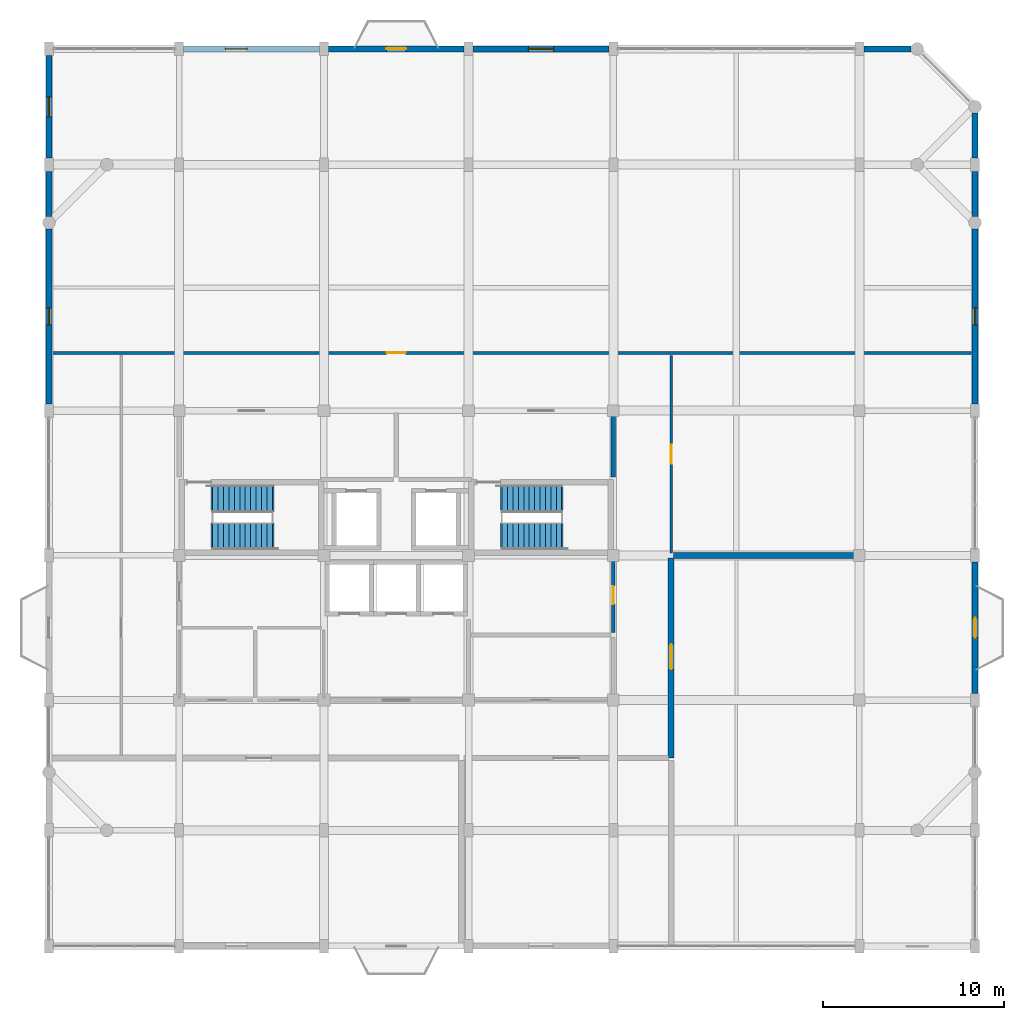
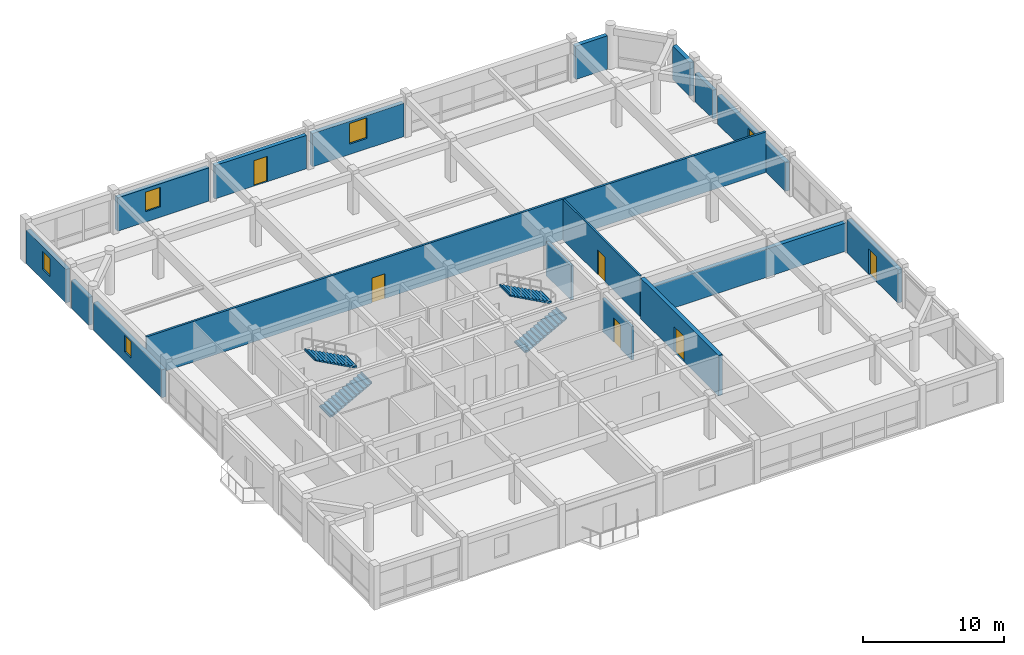
# One storey, part 12 of 13: 17 walls, 6 doors, 5 windows, 4 stair flights, 11 openings, 2 elements without a shape of their own.
"""IFC4 building model written with IfcOpenShell, lengths in metres."""

from ifc_helpers import new_model, si_unit, direction, frame, frame_2d, origin, place, context, subcontext, project, spatial, polyline, rectangle, outline, extrude, material, layer, layer_set, type_object, element, fill, aggregate, save


model = new_model("IFC4")

# Units and contexts
model_context = context("Model", 3, precision=1e-05, world=origin(), true_north=direction((0.0, 1.0)))
body_context = subcontext(model_context, "Body", "Model", "MODEL_VIEW")
ifc_project = project(units=[si_unit("LENGTHUNIT", "METRE"), si_unit("AREAUNIT", "SQUARE_METRE"), si_unit("VOLUMEUNIT", "CUBIC_METRE"), si_unit("PLANEANGLEUNIT", "RADIAN"), si_unit("MASSUNIT", "GRAM", prefix="KILO")], contexts=[model_context])

# Site, building, storey
site_placement = place(None, origin())
site = spatial("IfcSite", under=ifc_project, at=site_placement, CompositionType="ELEMENT")
building_placement = place(site_placement, origin())
building = spatial("IfcBuilding", under=site, at=building_placement, Name="Vellmiral Cinema and Media Centre", CompositionType="ELEMENT")
storey_placement = place(building_placement, frame((0.0, 0.0, 43.300048828125)))
storey = spatial("IfcBuildingStorey", under=building, at=storey_placement, Name="L10", CompositionType="ELEMENT", Elevation=43.300048828125)

# Wall
ifc_material_1 = material(Name="Calcium-Silicate Masonry Blockwork", Category="masonry")
ifc_layer_1 = layer(ifc_material_1, 0.1201171875, Name="Calcium-Silicate Masonry Blockwork", Category="masonry")
ifc_material_2 = material(Name="Mineral Wool Acoustic Insulation", Category="insulation")
ifc_layer_2 = layer(ifc_material_2, 0.090087890625, Name="Mineral Wool Acoustic Insulation", Category="insulation")
ifc_layer_3 = layer(ifc_material_1, 0.1201171875, Name="Calcium-Silicate Masonry Blockwork", Category="masonry")
ifc_layer_set_1 = layer_set([ifc_layer_1, ifc_layer_2, ifc_layer_3], Name="Calcium-Silicate Masonry Blockwork")
wall_type_1 = type_object("IfcWallType", Name="WL-AC-330", PredefinedType="SOLIDWALL", material=ifc_layer_set_1)
wall_1_placement = place(storey_placement, frame((151.340087890625, 87.199951171875, 0.0), z_axis=(0.0, 0.0, 1.0), x_axis=(1.0, 0.0, 0.0)))
element("IfcWall", 1, at=wall_1_placement, inside=storey, type_object=wall_type_1, Name="East Sound Design Booth 1 Wall N", PredefinedType="SOLIDWALL", context=body_context, shape_type="SweptSolid", body=[
    extrude(rectangle(XDim=16.554931640625, YDim=0.330078125, at=frame_2d((8.27734375, 0.0))), origin(), (0.0, 0.0, 1.0), 2.445068359375),
])

# Wall, opening, door
wall_2_placement = place(storey_placement, frame((151.199951171875, 76.0, 0.0), z_axis=(0.0, 0.0, 1.0), x_axis=(0.0, 1.0, 0.0)))
wall_2 = element("IfcWall", 2, at=wall_2_placement, inside=storey, type_object=wall_type_1, Name="East Sound Design Booth 1 Wall W", PredefinedType="SOLIDWALL", context=body_context, shape_type="SweptSolid", body=[
    extrude(rectangle(XDim=11.06005859375, YDim=0.330078125, at=frame_2d((5.530029296875, 0.0))), origin(), (0.0, 0.0, 1.0), 3.52001953125),
])
opening_1_placement = place(wall_2_placement, frame((4.89990234375, 0.0, 0.0)))
opening_1 = element("IfcOpeningElement", 3, at=opening_1_placement, cuts=wall_2, Name="Opening D-AC4", PredefinedType="OPENING", context=body_context, shape_type="SweptSolid", body=[
    extrude(rectangle(XDim=1.39990234375, YDim=2.199951171875, at=frame_2d((0.699951171875, 1.10009765625))), frame((0.0, 0.177001953125, 0.0), z_axis=(0.0, -1.0, 0.0), x_axis=(1.0, 0.0, 0.0)), (0.0, 0.0, 1.0), 0.35400390625),
])
ifc_material_3 = material(Name="Acoustic Studio Door", Category="steel")
door_type_1 = type_object("IfcDoorType", Name="DR-AC-1400x2200", OperationType="NOTDEFINED", PredefinedType="DOOR", material=ifc_material_3)
door_1_placement = place(opening_1_placement, origin())
door_1 = element("IfcDoor", 4, at=door_1_placement, inside=storey, type_object=door_type_1, Name="East Sound Design Booth 1 Door", OperationType="SINGLE_SWING_RIGHT", OverallHeight=2.199951171875, OverallWidth=1.39990234375, PredefinedType="DOOR", context=body_context, shape_type="SweptSolid", body=[
    extrude(rectangle(XDim=1.39990234375, YDim=2.199951171875, at=frame_2d((0.699951171875, 1.10009765625))), frame((0.0, 0.02490234375, 0.0), z_axis=(0.0, -1.0, 0.0), x_axis=(1.0, 0.0, 0.0)), (0.0, 0.0, 1.0), 0.050048828125),
])
fill(opening_1, door_1)

ifc_material_4 = material(Name="Concrete C40/50", Category="concrete")
ifc_layer_4 = layer(ifc_material_4, 0.2099609375, Name="Concrete C40/50")
ifc_layer_set_2 = layer_set([ifc_layer_4], Name="Concrete C40/50")
wall_type_2 = type_object("IfcWallType", Name="WL-COMP-210", PredefinedType="SOLIDWALL", material=ifc_layer_set_2)
wall_3_placement = place(storey_placement, frame((148.0, 82.93994140625, 0.0), z_axis=(0.0, 0.0, 1.0), x_axis=(0.0, 1.0, 0.0)))
wall_3 = element("IfcWall", 5, at=wall_3_placement, inside=storey, type_object=wall_type_2, Name="Data Patch and Riser Room Wall E", PredefinedType="SOLIDWALL", context=body_context, shape_type="SweptSolid", body=[
    extrude(rectangle(XDim=4.1201171875, YDim=0.2099609375, at=frame_2d((2.06005859375, 0.0))), origin(), (0.0, 0.0, 1.0), 2.89501953125),
])
opening_2_placement = place(wall_3_placement, frame((1.56005859375, 0.0, 0.0)))
opening_2 = element("IfcOpeningElement", 6, at=opening_2_placement, cuts=wall_3, Name="Opening D-FD30B", PredefinedType="OPENING", context=body_context, shape_type="SweptSolid", body=[
    extrude(rectangle(XDim=1.0, YDim=2.14990234375, at=frame_2d((0.5, 1.074951171875))), frame((0.0, 0.116943359375, 0.0), z_axis=(0.0, -1.0, 0.0), x_axis=(1.0, 0.0, 0.0)), (0.0, 0.0, 1.0), 0.23388671875),
])
ifc_material_5 = material(Name="Steel Riser Fire Door", Category="steel")
door_type_2 = type_object("IfcDoorType", Name="DR-FD30-1000x2150", OperationType="NOTDEFINED", PredefinedType="DOOR", material=ifc_material_5)
door_2_placement = place(opening_2_placement, origin())
door_2 = element("IfcDoor", 7, at=door_2_placement, inside=storey, type_object=door_type_2, Name="Data Patch and Riser Room Door", OperationType="SINGLE_SWING_LEFT", OverallHeight=2.14990234375, OverallWidth=1.0, PredefinedType="DOOR", context=body_context, shape_type="SweptSolid", body=[
    extrude(rectangle(XDim=1.0, YDim=2.14990234375, at=frame_2d((0.5, 1.074951171875))), frame((0.0, 0.02490234375, 0.0), z_axis=(0.0, -1.0, 0.0), x_axis=(1.0, 0.0, 0.0)), (0.0, 0.0, 1.0), 0.050048828125),
])
fill(opening_2, door_2)

# Wall
ifc_material_6 = material(Name="Polychrome Glazed Ceramic Cladding", Category="masonry")
ifc_layer_5 = layer(ifc_material_6, 0.320068359375, Name="Polychrome Glazed Ceramic Cladding")
ifc_layer_set_3 = layer_set([ifc_layer_5], Name="Polychrome Glazed Ceramic Cladding")
wall_type_3 = type_object("IfcWallType", Name="WL-EXT-BRICK-320", PredefinedType="SOLIDWALL", material=ifc_layer_set_3)
wall_4_placement = place(storey_placement, frame((168.0, 105.949951171875, 0.0), z_axis=(0.0, 0.0, 1.0), x_axis=(0.0, 1.0, 0.0)))
element("IfcWall", 8, at=wall_4_placement, inside=storey, type_object=wall_type_3, Name="Exterior Facade Wall L10-013", PredefinedType="SOLIDWALL", context=body_context, shape_type="SweptSolid", body=[
    extrude(rectangle(XDim=2.47509765625, YDim=0.320068359375, at=frame_2d((1.237548828125, 0.0))), origin(), (0.0, 0.0, 1.0), 2.48486328125),
])

# Wall, opening, door
wall_5_placement = place(storey_placement, frame((139.75, 115.199951171875, 0.0), z_axis=(0.0, 0.0, 1.0), x_axis=(-1.0, 0.0, 0.0)))
wall_5 = element("IfcWall", 9, at=wall_5_placement, inside=storey, type_object=wall_type_3, Name="Exterior Facade Wall L10-019", PredefinedType="SOLIDWALL", context=body_context, shape_type="SweptSolid", body=[
    extrude(rectangle(XDim=7.5, YDim=0.320068359375, at=frame_2d((3.75, 0.0))), origin(), (0.0, 0.0, 1.0), 2.89990234375),
])
opening_3_placement = place(wall_5_placement, frame((3.199951171875, 0.0, 0.0)))
opening_3 = element("IfcOpeningElement", 10, at=opening_3_placement, cuts=wall_5, Name="Opening DE-06", PredefinedType="OPENING", context=body_context, shape_type="SweptSolid", body=[
    extrude(rectangle(XDim=1.10009765625, YDim=2.199951171875, at=frame_2d((0.550048828125, 1.10009765625))), frame((0.0, 0.171875, 0.0), z_axis=(0.0, -1.0, 0.0), x_axis=(1.0, 0.0, 0.0)), (0.0, 0.0, 1.0), 0.343994140625),
])
ifc_material_7 = material(Name="Thermally Broken Glazed Aluminium and Bronze Door", Category="aluminium")
door_type_3 = type_object("IfcDoorType", Name="DR-MIRA-1100x2200", OperationType="NOTDEFINED", PredefinedType="DOOR", material=ifc_material_7)
door_3_placement = place(opening_3_placement, frame((1.10009765625, 0.0, 0.0), z_axis=(0.0, 0.0, 1.0), x_axis=(-1.0, 0.0, 0.0)))
door_3 = element("IfcDoor", 11, at=door_3_placement, inside=storey, type_object=door_type_3, Name="Mirador Balcony Door L10-N", OperationType="SINGLE_SWING_RIGHT", OverallHeight=2.199951171875, OverallWidth=1.10009765625, PredefinedType="DOOR", context=body_context, shape_type="SweptSolid", body=[
    extrude(rectangle(XDim=1.10009765625, YDim=2.199951171875, at=frame_2d((0.550048828125, 1.10009765625))), frame((0.0, 0.02490234375, 0.0), z_axis=(0.0, -1.0, 0.0), x_axis=(1.0, 0.0, 0.0)), (0.0, 0.0, 1.0), 0.050048828125),
])
fill(opening_3, door_3)

# Wall
wall_6_placement = place(storey_placement, frame((116.800048828125, 108.425048828125, 0.0), z_axis=(0.0, 0.0, 1.0), x_axis=(0.0, -1.0, 0.0)))
element("IfcWall", 12, at=wall_6_placement, inside=storey, type_object=wall_type_3, Name="Exterior Facade Wall L10-023", PredefinedType="SOLIDWALL", context=body_context, shape_type="SweptSolid", body=[
    extrude(rectangle(XDim=2.47509765625, YDim=0.320068359375, at=frame_2d((1.237548828125, 0.0))), origin(), (0.0, 0.0, 1.0), 2.43505859375),
])

# Wall, opening, door
ifc_material_8 = material(Name="Vosges Red Sandstone Masonry", Category="masonry")
ifc_layer_6 = layer(ifc_material_8, 0.340087890625, Name="Vosges Red Sandstone Masonry")
ifc_layer_set_4 = layer_set([ifc_layer_6], Name="Vosges Red Sandstone Masonry")
wall_type_4 = type_object("IfcWallType", Name="WL-EXT-SAND-340", PredefinedType="SOLIDWALL", material=ifc_layer_set_4)
wall_7_placement = place(storey_placement, frame((168.0, 79.574951171875, 0.0), z_axis=(0.0, 0.0, 1.0), x_axis=(0.0, 1.0, 0.0)))
wall_7 = element("IfcWall", 13, at=wall_7_placement, inside=storey, type_object=wall_type_4, Name="Exterior Facade Wall L10-010", PredefinedType="SOLIDWALL", context=body_context, shape_type="SweptSolid", body=[
    extrude(rectangle(XDim=7.25, YDim=0.340087890625, at=frame_2d((3.625, 0.0))), origin(), (0.0, 0.0, 1.0), 2.885009765625),
])
opening_4_placement = place(wall_7_placement, frame((3.074951171875, 0.0, 0.0)))
opening_4 = element("IfcOpeningElement", 14, at=opening_4_placement, cuts=wall_7, Name="Opening DE-06", PredefinedType="OPENING", context=body_context, shape_type="SweptSolid", body=[
    extrude(rectangle(XDim=1.10009765625, YDim=2.199951171875, at=frame_2d((0.550048828125, 1.10009765625))), frame((0.0, 0.18212890625, 0.0), z_axis=(0.0, -1.0, 0.0), x_axis=(1.0, 0.0, 0.0)), (0.0, 0.0, 1.0), 0.364013671875),
])
door_4_placement = place(opening_4_placement, frame((1.10009765625, 0.0, 0.0), z_axis=(0.0, 0.0, 1.0), x_axis=(-1.0, 0.0, 0.0)))
door_4 = element("IfcDoor", 15, at=door_4_placement, inside=storey, type_object=door_type_3, Name="Mirador Balcony Door L10-E", OperationType="SINGLE_SWING_LEFT", OverallHeight=2.199951171875, OverallWidth=1.10009765625, PredefinedType="DOOR", context=body_context, shape_type="SweptSolid", body=[
    extrude(rectangle(XDim=1.10009765625, YDim=2.199951171875, at=frame_2d((0.550048828125, 1.10009765625))), frame((0.0, 0.02490234375, 0.0), z_axis=(0.0, -1.0, 0.0), x_axis=(1.0, 0.0, 0.0)), (0.0, 0.0, 1.0), 0.050048828125),
])
fill(opening_4, door_4)

# Wall, opening, window
wall_8_placement = place(storey_placement, frame((168.0, 95.574951171875, 0.0), z_axis=(0.0, 0.0, 1.0), x_axis=(0.0, 1.0, 0.0)))
wall_8 = element("IfcWall", 16, at=wall_8_placement, inside=storey, type_object=wall_type_4, Name="Exterior Facade Wall L10-012", PredefinedType="SOLIDWALL", context=body_context, shape_type="SweptSolid", body=[
    extrude(rectangle(XDim=9.675048828125, YDim=0.340087890625, at=frame_2d((4.83740234375, 0.0))), origin(), (0.0, 0.0, 1.0), 2.48486328125),
])
opening_5_placement = place(wall_8_placement, frame((4.362548828125, 0.0, 0.800048828125)))
opening_5 = element("IfcOpeningElement", 17, at=opening_5_placement, cuts=wall_8, Name="Opening WN-12", PredefinedType="OPENING", context=body_context, shape_type="SweptSolid", body=[
    extrude(rectangle(XDim=0.949951171875, YDim=1.449951171875, at=frame_2d((0.47509765625, 0.72509765625))), frame((0.0, 0.18212890625, 0.0), z_axis=(0.0, -1.0, 0.0), x_axis=(1.0, 0.0, 0.0)), (0.0, 0.0, 1.0), 0.364013671875),
])
ifc_material_9 = material(Name="Thermally Broken Aluminium Triple Glazing", Category="aluminium")
window_type_1 = type_object("IfcWindowType", Name="WN-0950x1450", PartitioningType="SINGLE_PANEL", PredefinedType="WINDOW", material=ifc_material_9)
window_1_placement = place(opening_5_placement, origin())
window_1 = element("IfcWindow", 18, at=window_1_placement, inside=storey, type_object=window_type_1, Name="Window L10-012", OverallHeight=1.449951171875, OverallWidth=0.949951171875, PartitioningType="SINGLE_PANEL", PredefinedType="WINDOW", context=body_context, shape_type="SweptSolid", body=[
    extrude(rectangle(XDim=0.949951171875, YDim=1.449951171875, at=frame_2d((0.47509765625, 0.72509765625))), frame((0.0, 0.030029296875, 0.0), z_axis=(0.0, -1.0, 0.0), x_axis=(1.0, 0.0, 0.0)), (0.0, 0.0, 1.0), 0.06005859375),
])
fill(opening_5, window_1)

# Walls
wall_9_placement = place(storey_placement, frame((168.0, 109.175048828125, 0.0), z_axis=(0.0, 0.0, 1.0), x_axis=(0.0, 1.0, 0.0)))
element("IfcWall", 19, at=wall_9_placement, inside=storey, type_object=wall_type_4, Name="Exterior Facade Wall L10-014", PredefinedType="SOLIDWALL", context=body_context, shape_type="SweptSolid", body=[
    extrude(rectangle(XDim=2.474853515625, YDim=0.340087890625, at=frame_2d((1.2373046875, 0.0))), origin(), (0.0, 0.0, 1.0), 2.89990234375),
])
wall_10_placement = place(storey_placement, frame((164.449951171875, 115.199951171875, 0.0), z_axis=(0.0, 0.0, 1.0), x_axis=(-1.0, 0.0, 0.0)))
element("IfcWall", 20, at=wall_10_placement, inside=storey, type_object=wall_type_4, Name="Exterior Facade Wall L10-016", PredefinedType="SOLIDWALL", context=body_context, shape_type="SweptSolid", body=[
    extrude(rectangle(XDim=2.599853515625, YDim=0.340087890625, at=frame_2d((1.2998046875, 0.0))), origin(), (0.0, 0.0, 1.0), 2.89990234375),
])

# Wall, opening, window
wall_11_placement = place(storey_placement, frame((147.75, 115.199951171875, 0.0), z_axis=(0.0, 0.0, 1.0), x_axis=(-1.0, 0.0, 0.0)))
wall_11 = element("IfcWall", 21, at=wall_11_placement, inside=storey, type_object=wall_type_4, Name="Exterior Facade Wall L10-018", PredefinedType="SOLIDWALL", context=body_context, shape_type="SweptSolid", body=[
    extrude(rectangle(XDim=7.5, YDim=0.340087890625, at=frame_2d((3.75, 0.0))), origin(), (0.0, 0.0, 1.0), 2.885009765625),
])
opening_6_placement = place(wall_11_placement, frame((3.050048828125, 0.0, 0.89990234375)))
opening_6 = element("IfcOpeningElement", 22, at=opening_6_placement, cuts=wall_11, Name="Opening WN-07", PredefinedType="OPENING", context=body_context, shape_type="SweptSolid", body=[
    extrude(rectangle(XDim=1.39990234375, YDim=1.800048828125, at=frame_2d((0.699951171875, 0.89990234375))), frame((0.0, 0.18212890625, 0.0), z_axis=(0.0, -1.0, 0.0), x_axis=(1.0, 0.0, 0.0)), (0.0, 0.0, 1.0), 0.364013671875),
])
ifc_material_10 = material(Name="Thermally Broken Aluminium Triple Glazing", Category="aluminium")
window_type_2 = type_object("IfcWindowType", Name="WN-1400x1800", PartitioningType="SINGLE_PANEL", PredefinedType="WINDOW", material=ifc_material_10)
window_2_placement = place(opening_6_placement, origin())
window_2 = element("IfcWindow", 23, at=window_2_placement, inside=storey, type_object=window_type_2, Name="Window L10-018", OverallHeight=1.800048828125, OverallWidth=1.39990234375, PartitioningType="SINGLE_PANEL", PredefinedType="WINDOW", context=body_context, shape_type="SweptSolid", body=[
    extrude(rectangle(XDim=1.39990234375, YDim=1.800048828125, at=frame_2d((0.699951171875, 0.89990234375))), frame((0.0, 0.030029296875, 0.0), z_axis=(0.0, -1.0, 0.0), x_axis=(1.0, 0.0, 0.0)), (0.0, 0.0, 1.0), 0.06005859375),
])
fill(opening_6, window_2)

wall_12_placement = place(storey_placement, frame((131.75, 115.199951171875, 0.0), z_axis=(0.0, 0.0, 1.0), x_axis=(-1.0, 0.0, 0.0)))
wall_12 = element("IfcWall", 24, at=wall_12_placement, inside=storey, type_object=wall_type_4, Name="Exterior Facade Wall L10-020", PredefinedType="SOLIDWALL", context=body_context, shape_type="SweptSolid", body=[
    extrude(rectangle(XDim=7.5, YDim=0.340087890625, at=frame_2d((3.75, 0.0))), origin(), (0.0, 0.0, 1.0), 2.89990234375),
])
opening_7_placement = place(wall_12_placement, frame((4.0, 0.0, 0.89990234375)))
opening_7 = element("IfcOpeningElement", 25, at=opening_7_placement, cuts=wall_12, Name="Opening WN-10", PredefinedType="OPENING", context=body_context, shape_type="SweptSolid", body=[
    extrude(rectangle(XDim=1.199951171875, YDim=1.699951171875, at=frame_2d((0.60009765625, 0.85009765625))), frame((0.0, 0.18212890625, 0.0), z_axis=(0.0, -1.0, 0.0), x_axis=(1.0, 0.0, 0.0)), (0.0, 0.0, 1.0), 0.364013671875),
])
ifc_material_11 = material(Name="Thermally Broken Aluminium Triple Glazing", Category="aluminium")
window_type_3 = type_object("IfcWindowType", Name="WN-1200x1700", PartitioningType="SINGLE_PANEL", PredefinedType="WINDOW", material=ifc_material_11)
window_3_placement = place(opening_7_placement, origin())
window_3 = element("IfcWindow", 26, at=window_3_placement, inside=storey, type_object=window_type_3, Name="Window L10-020", OverallHeight=1.699951171875, OverallWidth=1.199951171875, PartitioningType="SINGLE_PANEL", PredefinedType="WINDOW", context=body_context, shape_type="SweptSolid", body=[
    extrude(rectangle(XDim=1.199951171875, YDim=1.699951171875, at=frame_2d((0.60009765625, 0.85009765625))), frame((0.0, 0.030029296875, 0.0), z_axis=(0.0, -1.0, 0.0), x_axis=(1.0, 0.0, 0.0)), (0.0, 0.0, 1.0), 0.06005859375),
])
fill(opening_7, window_3)

wall_13_placement = place(storey_placement, frame((116.800048828125, 114.824951171875, 0.0), z_axis=(0.0, 0.0, 1.0), x_axis=(0.0, -1.0, 0.0)))
wall_13 = element("IfcWall", 27, at=wall_13_placement, inside=storey, type_object=wall_type_4, Name="Exterior Facade Wall L10-022", PredefinedType="SOLIDWALL", context=body_context, shape_type="SweptSolid", body=[
    extrude(rectangle(XDim=5.64990234375, YDim=0.340087890625, at=frame_2d((2.824951171875, 0.0))), origin(), (0.0, 0.0, 1.0), 2.89990234375),
])
opening_8_placement = place(wall_13_placement, frame((2.27490234375, 0.0, 0.89990234375)))
opening_8 = element("IfcOpeningElement", 28, at=opening_8_placement, cuts=wall_13, Name="Opening WN-11", PredefinedType="OPENING", context=body_context, shape_type="SweptSolid", body=[
    extrude(rectangle(XDim=1.10009765625, YDim=1.550048828125, at=frame_2d((0.550048828125, 0.77490234375))), frame((0.0, 0.18212890625, 0.0), z_axis=(0.0, -1.0, 0.0), x_axis=(1.0, 0.0, 0.0)), (0.0, 0.0, 1.0), 0.364013671875),
])
ifc_material_12 = material(Name="Thermally Broken Aluminium Triple Glazing", Category="aluminium")
window_type_4 = type_object("IfcWindowType", Name="WN-1100x1550", PartitioningType="SINGLE_PANEL", PredefinedType="WINDOW", material=ifc_material_12)
window_4_placement = place(opening_8_placement, origin())
window_4 = element("IfcWindow", 29, at=window_4_placement, inside=storey, type_object=window_type_4, Name="Window L10-022", OverallHeight=1.550048828125, OverallWidth=1.10009765625, PartitioningType="SINGLE_PANEL", PredefinedType="WINDOW", context=body_context, shape_type="SweptSolid", body=[
    extrude(rectangle(XDim=1.10009765625, YDim=1.550048828125, at=frame_2d((0.550048828125, 0.77490234375))), frame((0.0, 0.030029296875, 0.0), z_axis=(0.0, -1.0, 0.0), x_axis=(1.0, 0.0, 0.0)), (0.0, 0.0, 1.0), 0.06005859375),
])
fill(opening_8, window_4)

wall_14_placement = place(storey_placement, frame((116.800048828125, 105.25, 0.0), z_axis=(0.0, 0.0, 1.0), x_axis=(0.0, -1.0, 0.0)))
wall_14 = element("IfcWall", 30, at=wall_14_placement, inside=storey, type_object=wall_type_4, Name="Exterior Facade Wall L10-024", PredefinedType="SOLIDWALL", context=body_context, shape_type="SweptSolid", body=[
    extrude(rectangle(XDim=9.675048828125, YDim=0.340087890625, at=frame_2d((4.83740234375, 0.0))), origin(), (0.0, 0.0, 1.0), 2.43505859375),
])
opening_9_placement = place(wall_14_placement, frame((4.362548828125, 0.0, 0.800048828125)))
opening_9 = element("IfcOpeningElement", 31, at=opening_9_placement, cuts=wall_14, Name="Opening WN-12", PredefinedType="OPENING", context=body_context, shape_type="SweptSolid", body=[
    extrude(rectangle(XDim=0.949951171875, YDim=1.449951171875, at=frame_2d((0.47509765625, 0.72509765625))), frame((0.0, 0.18212890625, 0.0), z_axis=(0.0, -1.0, 0.0), x_axis=(1.0, 0.0, 0.0)), (0.0, 0.0, 1.0), 0.364013671875),
])
window_5_placement = place(opening_9_placement, origin())
window_5 = element("IfcWindow", 32, at=window_5_placement, inside=storey, type_object=window_type_1, Name="Window L10-024", OverallHeight=1.449951171875, OverallWidth=0.949951171875, PartitioningType="SINGLE_PANEL", PredefinedType="WINDOW", context=body_context, shape_type="SweptSolid", body=[
    extrude(rectangle(XDim=0.949951171875, YDim=1.449951171875, at=frame_2d((0.47509765625, 0.72509765625))), frame((0.0, 0.030029296875, 0.0), z_axis=(0.0, -1.0, 0.0), x_axis=(1.0, 0.0, 0.0)), (0.0, 0.0, 1.0), 0.06005859375),
])
fill(opening_9, window_5)

# Wall
ifc_material_13 = material(Name="Concrete C40/50", Category="concrete")
ifc_layer_7 = layer(ifc_material_13, 0.22998046875, Name="Concrete C40/50")
ifc_layer_set_5 = layer_set([ifc_layer_7], Name="Concrete C40/50")
wall_type_5 = type_object("IfcWallType", Name="WL-FFL-230", PredefinedType="SOLIDWALL", material=ifc_layer_set_5)
wall_15_placement = place(storey_placement, frame((148.0, 91.5400390625, 0.0), z_axis=(0.0, 0.0, 1.0), x_axis=(0.0, 1.0, 0.0)))
element("IfcWall", 33, at=wall_15_placement, inside=storey, type_object=wall_type_5, Name="Firefighting Lobby East Wall E", PredefinedType="SOLIDWALL", context=body_context, shape_type="SweptSolid", body=[
    extrude(rectangle(XDim=3.52001953125, YDim=0.22998046875, at=frame_2d((1.760009765625, 0.0))), origin(), (0.0, 0.0, 1.0), 2.945068359375),
])

# Wall, opening, door
ifc_material_14 = material(Name="Gypsum Plasterboard")
ifc_layer_8 = layer(ifc_material_14, 0.02490234375, Name="Gypsum Plasterboard", Category="gypsum")
ifc_material_15 = material(Name="Mineral Wool Acoustic Insulation", Category="insulation")
ifc_layer_9 = layer(ifc_material_15, 0.10009765625, Name="Mineral Wool Acoustic Insulation", Category="insulation")
ifc_layer_10 = layer(ifc_material_14, 0.02490234375, Name="Gypsum Plasterboard", Category="gypsum")
ifc_layer_set_6 = layer_set([ifc_layer_8, ifc_layer_9, ifc_layer_10], Name="Gypsum Plasterboard")
wall_type_6 = type_object("IfcWallType", Name="WL-PART-150", PredefinedType="PARTITIONING", material=ifc_layer_set_6)
wall_16_placement = place(storey_placement, frame((151.199951171875, 87.340087890625, 0.0), z_axis=(0.0, 0.0, 1.0), x_axis=(0.0, 1.0, 0.0)))
wall_16 = element("IfcWall", 34, at=wall_16_placement, inside=storey, type_object=wall_type_6, Name="East Sound Conference Room Wall W", PredefinedType="PARTITIONING", context=body_context, shape_type="SweptSolid", body=[
    extrude(rectangle(XDim=10.919921875, YDim=0.14990234375, at=frame_2d((5.4599609375, 0.0))), origin(), (0.0, 0.0, 1.0), 3.52001953125),
])
opening_10_placement = place(wall_16_placement, frame((4.93505859375, 0.0, 0.0)))
opening_10 = element("IfcOpeningElement", 35, at=opening_10_placement, cuts=wall_16, Name="Opening D-I07", PredefinedType="OPENING", context=body_context, shape_type="SweptSolid", body=[
    extrude(rectangle(XDim=1.050048828125, YDim=2.14990234375, at=frame_2d((0.52490234375, 1.074951171875))), frame((0.0, 0.0869140625, 0.0), z_axis=(0.0, -1.0, 0.0), x_axis=(1.0, 0.0, 0.0)), (0.0, 0.0, 1.0), 0.173828125),
])
ifc_material_16 = material(Name="Laminated Timber Door", Category="wood")
door_type_4 = type_object("IfcDoorType", Name="DR-INT-1050x2150", OperationType="NOTDEFINED", PredefinedType="DOOR", material=ifc_material_16)
door_5_placement = place(opening_10_placement, frame((1.050048828125, 0.0, 0.0), z_axis=(0.0, 0.0, 1.0), x_axis=(-1.0, 0.0, 0.0)))
door_5 = element("IfcDoor", 36, at=door_5_placement, inside=storey, type_object=door_type_4, Name="East Sound Conference Room Door", OperationType="SINGLE_SWING_LEFT", OverallHeight=2.14990234375, OverallWidth=1.050048828125, PredefinedType="DOOR", context=body_context, shape_type="SweptSolid", body=[
    extrude(rectangle(XDim=1.050048828125, YDim=2.14990234375, at=frame_2d((0.52490234375, 1.074951171875))), frame((0.0, 0.02490234375, 0.0), z_axis=(0.0, -1.0, 0.0), x_axis=(1.0, 0.0, 0.0)), (0.0, 0.0, 1.0), 0.050048828125),
])
fill(opening_10, door_5)

ifc_material_17 = material(Name="Gypsum Plasterboard")
ifc_layer_11 = layer(ifc_material_17, 0.02490234375, Name="Gypsum Plasterboard", Category="gypsum")
ifc_material_18 = material(Name="Mineral Wool Acoustic Insulation", Category="insulation")
ifc_layer_12 = layer(ifc_material_18, 0.1201171875, Name="Mineral Wool Acoustic Insulation", Category="insulation")
ifc_layer_13 = layer(ifc_material_17, 0.02490234375, Name="Gypsum Plasterboard", Category="gypsum")
ifc_layer_set_7 = layer_set([ifc_layer_11, ifc_layer_12, ifc_layer_13], Name="Gypsum Plasterboard")
wall_type_7 = type_object("IfcWallType", Name="WL-PART-170", PredefinedType="PARTITIONING", material=ifc_layer_set_7)
wall_17_placement = place(storey_placement, frame((116.985107421875, 98.39990234375, 0.0), z_axis=(0.0, 0.0, 1.0), x_axis=(1.0, 0.0, 0.0)))
wall_17 = element("IfcWall", 37, at=wall_17_placement, inside=storey, type_object=wall_type_7, Name="North Open Podcast Editorial Floor Wall S", PredefinedType="PARTITIONING", context=body_context, shape_type="SweptSolid", body=[
    extrude(rectangle(XDim=50.829833984375, YDim=0.169921875, at=frame_2d((25.4150390625, 0.0))), origin(), (0.0, 0.0, 1.0), 3.52001953125),
])
opening_11_placement = place(wall_17_placement, frame((18.489990234375, 0.0, 0.0)))
opening_11 = element("IfcOpeningElement", 38, at=opening_11_placement, cuts=wall_17, Name="Opening D-I07", PredefinedType="OPENING", context=body_context, shape_type="SweptSolid", body=[
    extrude(rectangle(XDim=1.050048828125, YDim=2.14990234375, at=frame_2d((0.52490234375, 1.074951171875))), frame((0.0, 0.096923828125, 0.0), z_axis=(0.0, -1.0, 0.0), x_axis=(1.0, 0.0, 0.0)), (0.0, 0.0, 1.0), 0.19384765625),
])
door_6_placement = place(opening_11_placement, origin())
door_6 = element("IfcDoor", 39, at=door_6_placement, inside=storey, type_object=door_type_4, Name="North Open Podcast Editorial Floor Door", OperationType="SINGLE_SWING_LEFT", OverallHeight=2.14990234375, OverallWidth=1.050048828125, PredefinedType="DOOR", context=body_context, shape_type="SweptSolid", body=[
    extrude(rectangle(XDim=1.050048828125, YDim=2.14990234375, at=frame_2d((0.52490234375, 1.074951171875))), frame((0.0, 0.02490234375, 0.0), z_axis=(0.0, -1.0, 0.0), x_axis=(1.0, 0.0, 0.0)), (0.0, 0.0, 1.0), 0.050048828125),
])
fill(opening_11, door_6)

# Stair, stair flights
ifc_material_19 = material(Name="Concrete C40/50", Category="concrete")
stair_type = type_object("IfcStairType", Name="ST-2RET-380", PredefinedType="HALF_TURN_STAIR", material=ifc_material_19)
stair_1_placement = place(storey_placement, origin())
stair_1 = element("IfcStair", 40, at=stair_1_placement, inside=storey, type_object=stair_type, Name="Protected Escape Stair ST-T1 (L10)", PredefinedType="HALF_TURN_STAIR")
ifc_material_20 = material(Name="Concrete C40/50", Category="concrete")
stair_flight_type = type_object("IfcStairFlightType", Name="STF-STR-380", PredefinedType="STRAIGHT", material=ifc_material_20)
stair_flight_1_placement = place(storey_placement, frame((125.85009765625, 88.25, 0.0), z_axis=(0.0, 0.0, 1.0), x_axis=(1.0, 0.0, 0.0)))
stair_flight_1 = element("IfcStairFlight", 41, at=stair_flight_1_placement, type_object=stair_flight_type, Name="ST-T1 flight 1", NumberOfRisers=12, NumberOfTreads=11, PredefinedType="STRAIGHT", RiserHeight=0.158333333, TreadLength=0.3, context=body_context, shape_type="SweptSolid", body=[
    extrude(outline(polyline([(-0.080078125, 0.0), (-0.080078125, 0.094970703125), (0.0, 0.158447265625), (0.300048828125, 0.158447265625), (0.300048828125, 0.316650390625), (0.60009765625, 0.316650390625), (0.60009765625, 0.47509765625), (0.89990234375, 0.47509765625), (0.89990234375, 0.63330078125), (1.199951171875, 0.63330078125), (1.199951171875, 0.791748046875), (1.5, 0.791748046875), (1.5, 0.949951171875), (1.800048828125, 0.949951171875), (1.800048828125, 1.1083984375), (2.10009765625, 1.1083984375), (2.10009765625, 1.2666015625), (2.39990234375, 1.2666015625), (2.39990234375, 1.425048828125), (2.699951171875, 1.425048828125), (2.699951171875, 1.583251953125), (3.0, 1.583251953125), (3.0, 1.74169921875), (3.300048828125, 1.74169921875), (3.300048828125, 1.89990234375), (3.380126953125, 1.89990234375), (3.380126953125, 1.739990234375), (0.179931640625, 0.0), (-0.080078125, 0.0)])), frame((0.0, 0.75, 0.0), z_axis=(0.0, -1.0, 0.0), x_axis=(1.0, 0.0, 0.0)), (0.0, 0.0, 1.0), 1.5),
])
stair_flight_2_placement = place(storey_placement, frame((129.14990234375, 90.35009765625, 1.89990234375), z_axis=(0.0, 0.0, 1.0), x_axis=(-1.0, 0.0, 0.0)))
stair_flight_2 = element("IfcStairFlight", 42, at=stair_flight_2_placement, type_object=stair_flight_type, Name="ST-T1 flight 2", NumberOfRisers=12, NumberOfTreads=11, PredefinedType="STRAIGHT", RiserHeight=0.158333333, TreadLength=0.3, context=body_context, shape_type="SweptSolid", body=[
    extrude(outline(polyline([(-0.080078125, 0.0), (-0.080078125, 0.094970703125), (0.0, 0.158447265625), (0.300048828125, 0.158447265625), (0.300048828125, 0.316650390625), (0.60009765625, 0.316650390625), (0.60009765625, 0.47509765625), (0.89990234375, 0.47509765625), (0.89990234375, 0.63330078125), (1.199951171875, 0.63330078125), (1.199951171875, 0.791748046875), (1.5, 0.791748046875), (1.5, 0.949951171875), (1.800048828125, 0.949951171875), (1.800048828125, 1.1083984375), (2.10009765625, 1.1083984375), (2.10009765625, 1.2666015625), (2.39990234375, 1.2666015625), (2.39990234375, 1.425048828125), (2.699951171875, 1.425048828125), (2.699951171875, 1.583251953125), (3.0, 1.583251953125), (3.0, 1.74169921875), (3.300048828125, 1.74169921875), (3.300048828125, 1.89990234375), (3.380126953125, 1.89990234375), (3.380126953125, 1.739990234375), (0.179931640625, 0.0), (-0.080078125, 0.0)])), frame((0.0, 0.75, 0.0), z_axis=(0.0, -1.0, 0.0), x_axis=(1.0, 0.0, 0.0)), (0.0, 0.0, 1.0), 1.5),
])
aggregate(stair_1, [stair_flight_1, stair_flight_2])

stair_2_placement = place(storey_placement, origin())
stair_2 = element("IfcStair", 43, at=stair_2_placement, inside=storey, type_object=stair_type, Name="Protected Escape Stair ST-T2 (L10)", PredefinedType="HALF_TURN_STAIR")
stair_flight_3_placement = place(storey_placement, frame((141.85009765625, 88.25, 0.0), z_axis=(0.0, 0.0, 1.0), x_axis=(1.0, 0.0, 0.0)))
stair_flight_3 = element("IfcStairFlight", 44, at=stair_flight_3_placement, type_object=stair_flight_type, Name="ST-T2 flight 1", NumberOfRisers=12, NumberOfTreads=11, PredefinedType="STRAIGHT", RiserHeight=0.158333333, TreadLength=0.3, context=body_context, shape_type="SweptSolid", body=[
    extrude(outline(polyline([(-0.080078125, 0.0), (-0.080078125, 0.094970703125), (0.0, 0.158447265625), (0.300048828125, 0.158447265625), (0.300048828125, 0.316650390625), (0.60009765625, 0.316650390625), (0.60009765625, 0.47509765625), (0.89990234375, 0.47509765625), (0.89990234375, 0.63330078125), (1.199951171875, 0.63330078125), (1.199951171875, 0.791748046875), (1.5, 0.791748046875), (1.5, 0.949951171875), (1.800048828125, 0.949951171875), (1.800048828125, 1.1083984375), (2.10009765625, 1.1083984375), (2.10009765625, 1.2666015625), (2.39990234375, 1.2666015625), (2.39990234375, 1.425048828125), (2.699951171875, 1.425048828125), (2.699951171875, 1.583251953125), (3.0, 1.583251953125), (3.0, 1.74169921875), (3.300048828125, 1.74169921875), (3.300048828125, 1.89990234375), (3.380126953125, 1.89990234375), (3.380126953125, 1.739990234375), (0.179931640625, 0.0), (-0.080078125, 0.0)])), frame((0.0, 0.75, 0.0), z_axis=(0.0, -1.0, 0.0), x_axis=(1.0, 0.0, 0.0)), (0.0, 0.0, 1.0), 1.5),
])
stair_flight_4_placement = place(storey_placement, frame((145.14990234375, 90.35009765625, 1.89990234375), z_axis=(0.0, 0.0, 1.0), x_axis=(-1.0, 0.0, 0.0)))
stair_flight_4 = element("IfcStairFlight", 45, at=stair_flight_4_placement, type_object=stair_flight_type, Name="ST-T2 flight 2", NumberOfRisers=12, NumberOfTreads=11, PredefinedType="STRAIGHT", RiserHeight=0.158333333, TreadLength=0.3, context=body_context, shape_type="SweptSolid", body=[
    extrude(outline(polyline([(-0.080078125, 0.0), (-0.080078125, 0.094970703125), (0.0, 0.158447265625), (0.300048828125, 0.158447265625), (0.300048828125, 0.316650390625), (0.60009765625, 0.316650390625), (0.60009765625, 0.47509765625), (0.89990234375, 0.47509765625), (0.89990234375, 0.63330078125), (1.199951171875, 0.63330078125), (1.199951171875, 0.791748046875), (1.5, 0.791748046875), (1.5, 0.949951171875), (1.800048828125, 0.949951171875), (1.800048828125, 1.1083984375), (2.10009765625, 1.1083984375), (2.10009765625, 1.2666015625), (2.39990234375, 1.2666015625), (2.39990234375, 1.425048828125), (2.699951171875, 1.425048828125), (2.699951171875, 1.583251953125), (3.0, 1.583251953125), (3.0, 1.74169921875), (3.300048828125, 1.74169921875), (3.300048828125, 1.89990234375), (3.380126953125, 1.89990234375), (3.380126953125, 1.739990234375), (0.179931640625, 0.0), (-0.080078125, 0.0)])), frame((0.0, 0.75, 0.0), z_axis=(0.0, -1.0, 0.0), x_axis=(1.0, 0.0, 0.0)), (0.0, 0.0, 1.0), 1.5),
])
aggregate(stair_2, [stair_flight_3, stair_flight_4])

save(model, "model.ifc")
